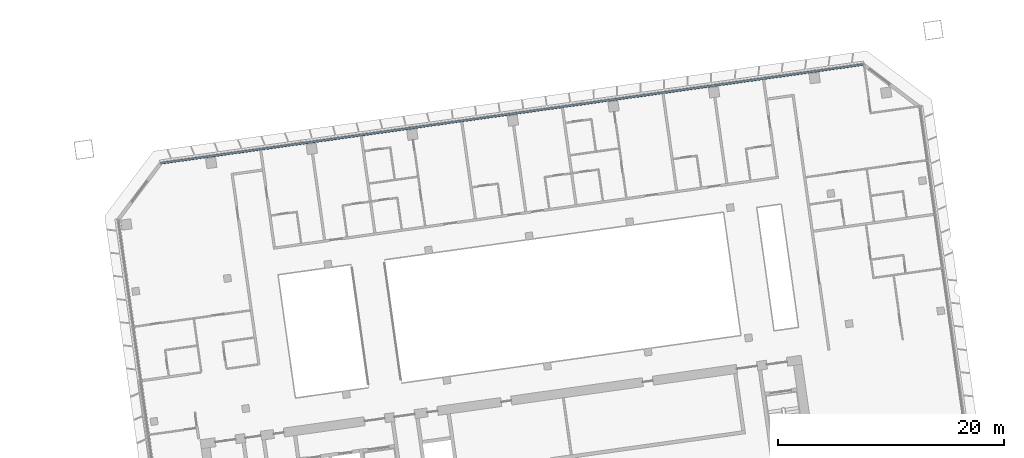
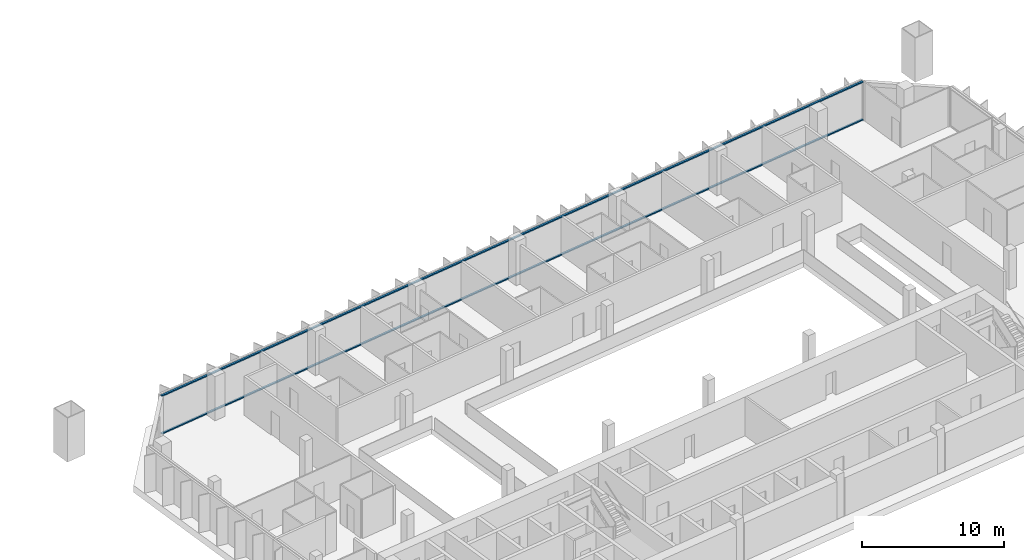
# One storey, part 9 of 26: 2 members, 1 element without a shape of its own.
"""IFC4 building model written with IfcOpenShell, lengths in metres."""

from ifc_helpers import new_model, si_unit, direction, frame, origin, origin_2d, place, context, subcontext, project, spatial, rectangle, extrude, material, material_profile, profile_set, type_object, element, aggregate, save


model = new_model("IFC4")

# Units and contexts
model_context = context("Model", 3, precision=1e-05, world=origin(), true_north=direction((0.0, 1.0)))
body_context = subcontext(model_context, "Body", "Model", "MODEL_VIEW")
ifc_project = project(units=[si_unit("LENGTHUNIT", "METRE"), si_unit("AREAUNIT", "SQUARE_METRE"), si_unit("VOLUMEUNIT", "CUBIC_METRE"), si_unit("PLANEANGLEUNIT", "RADIAN"), si_unit("MASSUNIT", "GRAM", prefix="KILO")], contexts=[model_context])

# Site, building, storey
site_placement = place(None, origin())
site = spatial("IfcSite", under=ifc_project, at=site_placement, CompositionType="ELEMENT")
building_placement = place(site_placement, origin())
building = spatial("IfcBuilding", under=site, at=building_placement, Name="Mirante Cascada Hotel Towers", CompositionType="ELEMENT")
storey_placement = place(building_placement, frame((0.0, 0.0, 144.3)))
storey = spatial("IfcBuildingStorey", under=building, at=storey_placement, Name="L33", CompositionType="ELEMENT", Elevation=144.3)

# Curtain wall, members
ifc_material_1 = material(Name="Aluminium mullion and transom frame with clear laminated glass", Category="aluminium")
curtain_wall_type = type_object("IfcCurtainWallType", Name="Ribbon curtain wall ECW1", PredefinedType="NOTDEFINED", material=ifc_material_1)
curtain_wall_placement = place(storey_placement, origin())
curtain_wall = element("IfcCurtainWall", 1, at=curtain_wall_placement, inside=storey, type_object=curtain_wall_type, Name="Front ribbon wall T2 L33", PredefinedType="NOTDEFINED")
ifc_material_2 = material(Name="Anodised aluminium extrusion", Category="aluminium")
ifc_material_profile = material_profile(ifc_material_2, rectangle(XDim=0.16, YDim=0.1, at=origin_2d()), Name="ECW1 TRANSOM 100x160")
ifc_profile_set = profile_set([ifc_material_profile], Name="Anodised aluminium extrusion")
member_type = type_object("IfcMemberType", Name="ECW1 transom 100x160", PredefinedType="USERDEFINED", material=ifc_profile_set)
member_1_placement = place(storey_placement, frame((94.1582, 26.0521, 0.05), z_axis=(-0.9902681, -0.1391728, 0.0), x_axis=(0.1391728, -0.9902681, 0.0)))
member_1 = element("IfcMember", 2, at=member_1_placement, type_object=member_type, Name="ECW1 sill transom", ObjectType="TRANSOM", PredefinedType="USERDEFINED", context=body_context, shape_type="SweptSolid", body=[
    extrude(rectangle(XDim=0.16, YDim=0.1, at=origin_2d()), origin(), (0.0, 0.0, 1.0), 62.8758),
])
member_2_placement = place(storey_placement, frame((94.1582, 26.0521, 3.3), z_axis=(-0.9902681, -0.1391728, 0.0), x_axis=(0.1391728, -0.9902681, 0.0)))
member_2 = element("IfcMember", 3, at=member_2_placement, type_object=member_type, Name="ECW1 head transom", ObjectType="TRANSOM", PredefinedType="USERDEFINED", context=body_context, shape_type="SweptSolid", body=[
    extrude(rectangle(XDim=0.16, YDim=0.1, at=origin_2d()), origin(), (0.0, 0.0, 1.0), 62.8758),
])
aggregate(curtain_wall, [member_1, member_2])

save(model, "model.ifc")
